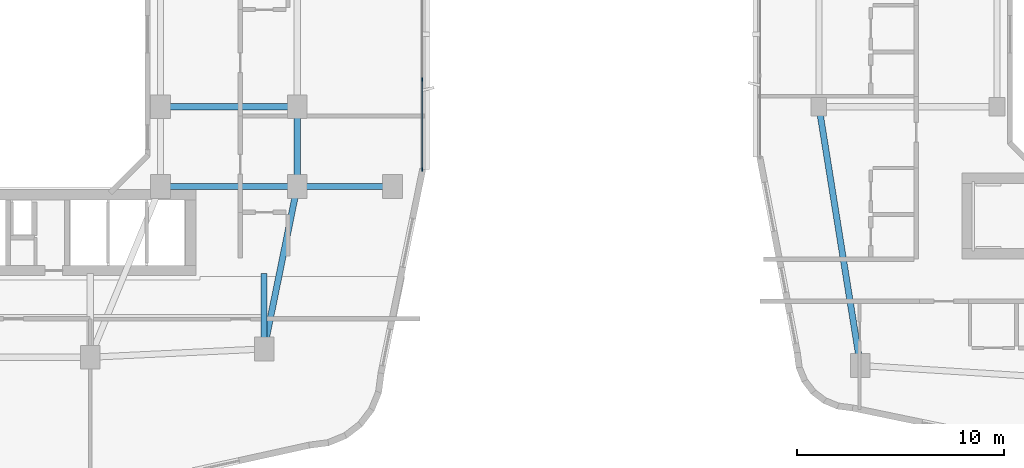
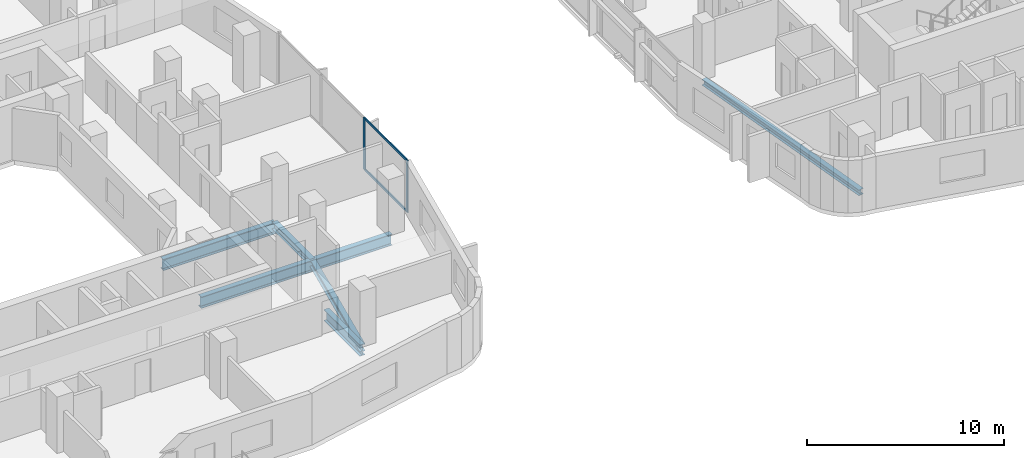
# One storey, part 3 of 22: 7 beams, 4 members, 1 element without a shape of its own.
"""IFC4 building model written with IfcOpenShell, lengths in metres."""

from ifc_helpers import new_model, si_unit, derived_unit, direction, frame, origin, origin_2d, place, context, subcontext, project, spatial, rectangle, i_section, extrude, material, layer, layer_set, material_profile, profile_set, type_object, element, aggregate, save


model = new_model("IFC4")

# Units and contexts
model_context = context("Model", 3, precision=1e-05, world=origin(), true_north=direction((0.0, 1.0)))
body_context = subcontext(model_context, "Body", "Model", "MODEL_VIEW")
ifc_project = project(units=[si_unit("LENGTHUNIT", "METRE"), si_unit("AREAUNIT", "SQUARE_METRE"), si_unit("VOLUMEUNIT", "CUBIC_METRE"), si_unit("PLANEANGLEUNIT", "RADIAN"), si_unit("MASSUNIT", "GRAM", prefix="KILO"), derived_unit("THERMALTRANSMITTANCEUNIT", [(si_unit("POWERUNIT", "WATT"), 1), (si_unit("LENGTHUNIT", "METRE"), -2), (si_unit("THERMODYNAMICTEMPERATUREUNIT", "KELVIN"), -1)])], contexts=[model_context])

# Site, building, storey
site_placement = place(None, origin())
site = spatial("IfcSite", under=ifc_project, at=site_placement, CompositionType="ELEMENT")
building_placement = place(site_placement, origin())
building = spatial("IfcBuilding", under=site, at=building_placement, Name="Kivonza Crest Hotel", CompositionType="ELEMENT")
storey_placement = place(building_placement, frame((0.0, 0.0, 69.5)))
storey = spatial("IfcBuildingStorey", under=building, at=storey_placement, Name="L18", CompositionType="ELEMENT", Elevation=69.5)

# Beams
ifc_material_1 = material(Name="Steel S355", Category="steel")
ifc_material_profile_1 = material_profile(ifc_material_1, i_section(OverallWidth=0.300048828125, OverallDepth=0.360107421875, WebThickness=0.012451171875, FlangeThickness=0.0224609375, FilletRadius=0.027099609375, at=origin_2d()), Name="HEB 360")
ifc_profile_set_1 = profile_set([ifc_material_profile_1], Name="Steel S355")
beam_type_1 = type_object("IfcBeamType", Name="BM-HEB360", PredefinedType="SPANDREL", material=ifc_profile_set_1)
beam_1_placement = place(storey_placement, frame((61.0, 21.5, -0.429931640625), z_axis=(0.157990501107, -0.987440631917, 0.0), x_axis=(0.987440631917, 0.157990501107, 0.0)))
element("IfcBeam", 1, at=beam_1_placement, inside=storey, type_object=beam_type_1, Name="Companion Tower T2 L18 perimeter spandrel W1-SW", PredefinedType="SPANDREL", context=body_context, shape_type="SweptSolid", body=[
    extrude(i_section(OverallWidth=0.300048828125, OverallDepth=0.360107421875, WebThickness=0.012451171875, FlangeThickness=0.0224609375, FilletRadius=0.027099609375, at=origin_2d()), origin(), (0.0, 0.0, 1.0), 12.658935546875),
])
ifc_material_profile_2 = material_profile(ifc_material_1, i_section(OverallWidth=0.300048828125, OverallDepth=0.449951171875, WebThickness=0.013916015625, FlangeThickness=0.02587890625, FilletRadius=0.027099609375, at=origin_2d()), Name="HEB 450")
ifc_profile_set_2 = profile_set([ifc_material_profile_2], Name="Steel S355")
beam_type_2 = type_object("IfcBeamType", Name="BM-HEB450", PredefinedType="SPANDREL", material=ifc_profile_set_2)
beam_2_placement = place(storey_placement, frame((34.199951171875, 9.800048828125, -0.5048828125), z_axis=(0.199730733965, 0.979850822273, 0.0), x_axis=(-0.979850822273, 0.199730733965, 0.0)))
element("IfcBeam", 2, at=beam_2_placement, inside=storey, type_object=beam_type_2, Name="Tower T1 L18 perimeter spandrel SE-PSE", PredefinedType="SPANDREL", context=body_context, shape_type="SweptSolid", body=[
    extrude(i_section(OverallWidth=0.300048828125, OverallDepth=0.449951171875, WebThickness=0.013916015625, FlangeThickness=0.02587890625, FilletRadius=0.027099609375, at=origin_2d()), origin(), (0.0, 0.0, 1.0), 8.01123046875),
])
beam_3_placement = place(storey_placement, frame((35.800048828125, 17.64990234375, -0.5048828125), z_axis=(0.0, 1.0, 0.0), x_axis=(-1.0, 0.0, 0.0)))
element("IfcBeam", 3, at=beam_3_placement, inside=storey, type_object=beam_type_2, Name="Tower T1 L18 perimeter spandrel PSE-E1", PredefinedType="SPANDREL", context=body_context, shape_type="SweptSolid", body=[
    extrude(i_section(OverallWidth=0.300048828125, OverallDepth=0.449951171875, WebThickness=0.013916015625, FlangeThickness=0.02587890625, FilletRadius=0.027099609375, at=origin_2d()), origin(), (0.0, 0.0, 1.0), 3.85009765625),
])
ifc_material_profile_3 = material_profile(ifc_material_1, i_section(OverallWidth=0.300048828125, OverallDepth=0.699951171875, WebThickness=0.01708984375, FlangeThickness=0.031982421875, FilletRadius=0.027099609375, at=origin_2d()), Name="HEB 700")
ifc_profile_set_3 = profile_set([ifc_material_profile_3], Name="Steel S355")
beam_type_3 = type_object("IfcBeamType", Name="BM-HEB700", PredefinedType="BEAM", material=ifc_profile_set_3)
for number, where, z_axis, x_axis, name in (
    (4, (29.199951171875, 17.64990234375, -0.6298828125), (1.0, 0.0, 0.0), (0.0, 1.0, 0.0), "Tower T1 L18 primary girder TSE-PSE"),
    (5, (29.199951171875, 21.5, -0.6298828125), (1.0, 0.0, 0.0), (0.0, 1.0, 0.0), "Tower T1 L18 primary girder WR1-E1"),
):
    element("IfcBeam", number, at=place(storey_placement, frame(where, z_axis=z_axis, x_axis=x_axis)), inside=storey, type_object=beam_type_3, Name=name, PredefinedType="BEAM", context=body_context, shape_type="SweptSolid", body=[
        extrude(i_section(OverallWidth=0.300048828125, OverallDepth=0.699951171875, WebThickness=0.01708984375, FlangeThickness=0.031982421875, FilletRadius=0.027099609375, at=origin_2d()), origin(), (0.0, 0.0, 1.0), 6.60009765625),
    ])
beam_4_placement = place(storey_placement, frame((40.39990234375, 17.64990234375, -0.6298828125), z_axis=(-1.0, 0.0, 0.0), x_axis=(0.0, -1.0, 0.0)))
element("IfcBeam", 6, at=beam_4_placement, inside=storey, type_object=beam_type_3, Name="Tower T1 L18 outer bay girder ZE1", PredefinedType="BEAM", context=body_context, shape_type="SweptSolid", body=[
    extrude(i_section(OverallWidth=0.300048828125, OverallDepth=0.699951171875, WebThickness=0.01708984375, FlangeThickness=0.031982421875, FilletRadius=0.027099609375, at=origin_2d()), origin(), (0.0, 0.0, 1.0), 4.599853515625),
])
beam_5_placement = place(storey_placement, frame((34.199951171875, 9.800048828125, -0.6298828125), z_axis=(0.0, 1.0, 0.0), x_axis=(-1.0, 0.0, 0.0)))
element("IfcBeam", 7, at=beam_5_placement, inside=storey, type_object=beam_type_3, Name="Tower T1 L18 radial core girder RSE", PredefinedType="BEAM", context=body_context, shape_type="SweptSolid", body=[
    extrude(i_section(OverallWidth=0.300048828125, OverallDepth=0.699951171875, WebThickness=0.01708984375, FlangeThickness=0.031982421875, FilletRadius=0.027099609375, at=origin_2d()), origin(), (0.0, 0.0, 1.0), 3.64990234375),
])

# Curtain wall, members
ifc_material_2 = material(Name="Anodised bronze aluminium and low-E double glazing", Category="aluminium")
ifc_layer = layer(ifc_material_2, 0.179931640625)
ifc_layer_set = layer_set([ifc_layer], Name="Anodised bronze aluminium and low-E double glazing")
curtain_wall_type = type_object("IfcCurtainWallType", Name="CW-SYS-2", PredefinedType="NOTDEFINED", material=ifc_layer_set)
curtain_wall_placement = place(storey_placement, origin())
curtain_wall = element("IfcCurtainWall", 8, at=curtain_wall_placement, inside=storey, type_object=curtain_wall_type, Name="L18 unitised curtain wall CW-T1-L18-17", PredefinedType="NOTDEFINED")
ifc_material_3 = material(Name="Anodised bronze aluminium", Category="aluminium")
ifc_material_profile_4 = material_profile(ifc_material_3, rectangle(XDim=0.06494140625, YDim=0.179931640625, at=origin_2d()), Name="CW-M 65x180")
ifc_profile_set_4 = profile_set([ifc_material_profile_4], Name="Anodised bronze aluminium")
member_type_1 = type_object("IfcMemberType", Name="CW-MUL-65x180", PredefinedType="MULLION", material=ifc_profile_set_4)
member_1_placement = place(storey_placement, frame((41.840087890625, 18.472412109375, 0.0), z_axis=(0.0, 0.0, 1.0), x_axis=(-1.0, 0.0, 0.0)))
member_1 = element("IfcMember", 9, at=member_1_placement, type_object=member_type_1, Name="CW-2 mullion 1", PredefinedType="MULLION", context=body_context, shape_type="SweptSolid", body=[
    extrude(rectangle(XDim=0.06494140625, YDim=0.179931640625, at=origin_2d()), origin(), (0.0, 0.0, 1.0), 3.219970703125),
])
member_2_placement = place(storey_placement, frame((41.840087890625, 22.813232421875, 0.0), z_axis=(0.0, 0.0, 1.0), x_axis=(-1.0, 0.0, 0.0)))
member_2 = element("IfcMember", 10, at=member_2_placement, type_object=member_type_1, Name="CW-2 mullion 2", PredefinedType="MULLION", context=body_context, shape_type="SweptSolid", body=[
    extrude(rectangle(XDim=0.06494140625, YDim=0.179931640625, at=origin_2d()), origin(), (0.0, 0.0, 1.0), 3.219970703125),
])
ifc_material_profile_5 = material_profile(ifc_material_3, rectangle(XDim=0.06494140625, YDim=0.139892578125, at=origin_2d()), Name="CW-T 65x140")
ifc_profile_set_5 = profile_set([ifc_material_profile_5], Name="Anodised bronze aluminium")
member_type_2 = type_object("IfcMemberType", Name="CW-TRN-65x140", PredefinedType="USERDEFINED", material=ifc_profile_set_5)
member_3_placement = place(storey_placement, frame((41.840087890625, 18.5048828125, 0.032470703125), z_axis=(0.0, 1.0, 0.0), x_axis=(-1.0, 0.0, 0.0)))
member_3 = element("IfcMember", 11, at=member_3_placement, type_object=member_type_2, Name="CW-2 transom 1.1", ObjectType="TRANSOM", PredefinedType="USERDEFINED", context=body_context, shape_type="SweptSolid", body=[
    extrude(rectangle(XDim=0.06494140625, YDim=0.139892578125, at=origin_2d()), origin(), (0.0, 0.0, 1.0), 4.27587890625),
])
member_4_placement = place(storey_placement, frame((41.840087890625, 18.5048828125, 3.1875), z_axis=(0.0, 1.0, 0.0), x_axis=(-1.0, 0.0, 0.0)))
member_4 = element("IfcMember", 12, at=member_4_placement, type_object=member_type_2, Name="CW-2 transom 1.2", ObjectType="TRANSOM", PredefinedType="USERDEFINED", context=body_context, shape_type="SweptSolid", body=[
    extrude(rectangle(XDim=0.06494140625, YDim=0.139892578125, at=origin_2d()), origin(), (0.0, 0.0, 1.0), 4.27587890625),
])
aggregate(curtain_wall, [member_1, member_2, member_3, member_4])

save(model, "model.ifc")
